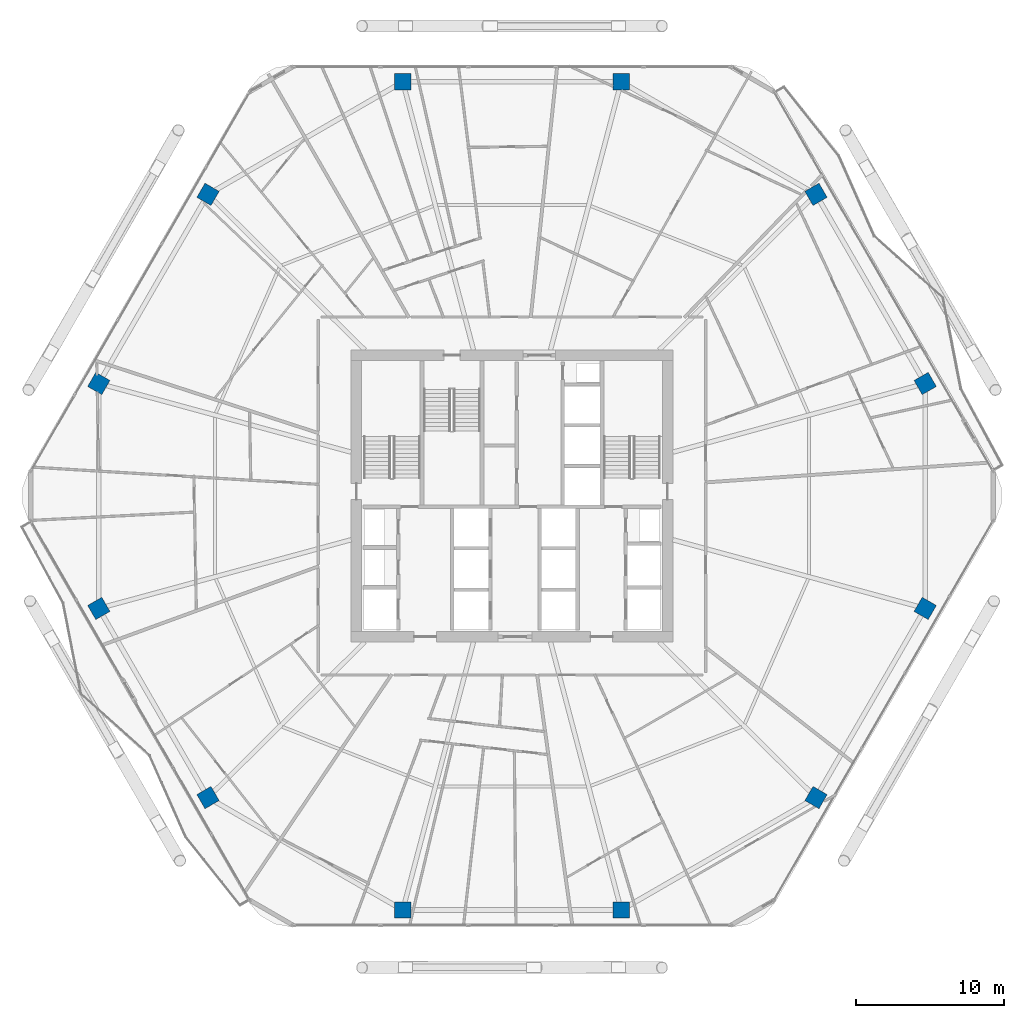
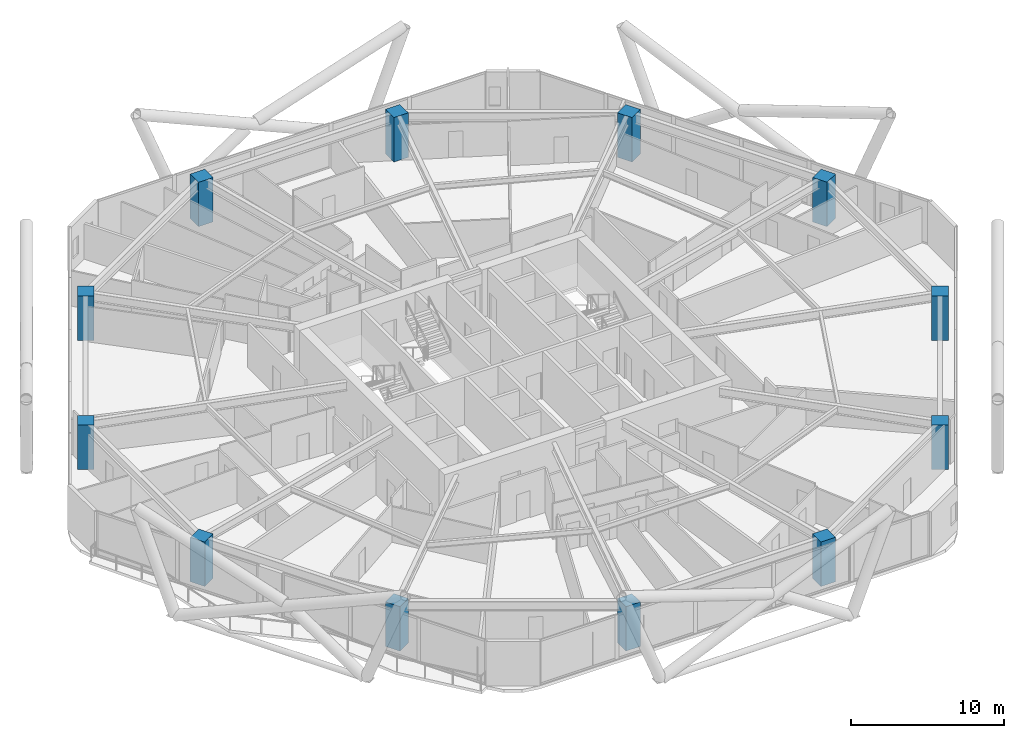
# One storey, part 1 of 34: 12 columns.
"""IFC4 building model written with IfcOpenShell, lengths in metres."""

from ifc_helpers import new_model, si_unit, direction, frame, origin, origin_2d, place, context, subcontext, project, spatial, rectangle, extrude, material, material_profile, profile_set, type_object, element, save


model = new_model("IFC4")

# Units and contexts
model_context = context("Model", 3, precision=1e-05, world=origin(), true_north=direction((0.0, 1.0)))
body_context = subcontext(model_context, "Body", "Model", "MODEL_VIEW")
ifc_project = project(units=[si_unit("LENGTHUNIT", "METRE"), si_unit("AREAUNIT", "SQUARE_METRE"), si_unit("VOLUMEUNIT", "CUBIC_METRE"), si_unit("PLANEANGLEUNIT", "RADIAN"), si_unit("MASSUNIT", "GRAM", prefix="KILO")], contexts=[model_context])

# Site, building, storey
site_placement = place(None, origin())
site = spatial("IfcSite", under=ifc_project, at=site_placement, CompositionType="ELEMENT")
building_placement = place(site_placement, origin())
building = spatial("IfcBuilding", under=site, at=building_placement, Name="Zuhravey Tower", CompositionType="ELEMENT")
storey_placement = place(building_placement, frame((0.0, 0.0, 100.0)))
storey = spatial("IfcBuildingStorey", under=building, at=storey_placement, Name="L24", CompositionType="ELEMENT", Elevation=100.0)

# Columns
ifc_material = material(Name="Concrete C60/75", Category="concrete")
ifc_material_profile = material_profile(ifc_material, rectangle(XDim=1.10009765625, YDim=1.10009765625, at=origin_2d()), Name="RC-1100x1100")
ifc_profile_set = profile_set([ifc_material_profile], Name="Concrete C60/75")
column_type = type_object("IfcColumnType", Name="Zone 1 Upper Column 1100x1100", PredefinedType="COLUMN", material=ifc_profile_set)
for number, where, z_axis, x_axis, name in (
    (1, (63.88916015625, 39.591552734375, 0.0), (0.0, 0.0, 1.0), (-0.5, 0.866025403784, 0.0), "L24 Perimeter Column PC01"),
    (2, (56.51904296875, 52.35693359375, 0.0), (0.0, 0.0, 1.0), (-0.5, 0.866025403784, 0.0), "L24 Perimeter Column PC02"),
    (3, (43.3701171875, 59.948486328125, 0.0), (0.0, 0.0, 1.0), (-1.0, 0.0, 0.0), "L24 Perimeter Column PC03"),
    (4, (28.6298828125, 59.948486328125, 0.0), (0.0, 0.0, 1.0), (-1.0, 0.0, 0.0), "L24 Perimeter Column PC04"),
    (5, (15.48095703125, 52.35693359375, 0.0), (0.0, 0.0, 1.0), (-0.5, -0.866025403784, 0.0), "L24 Perimeter Column PC05"),
    (6, (8.11083984375, 39.591552734375, 0.0), (0.0, 0.0, 1.0), (-0.5, -0.866025403784, 0.0), "L24 Perimeter Column PC06"),
    (7, (8.11083984375, 24.408447265625, 0.0), (0.0, 0.0, 1.0), (0.5, -0.866025403784, 0.0), "L24 Perimeter Column PC07"),
    (8, (15.48095703125, 11.64306640625, 0.0), (0.0, 0.0, 1.0), (0.5, -0.866025403784, 0.0), "L24 Perimeter Column PC08"),
    (9, (28.6298828125, 4.051513671875, 0.0), (0.0, 0.0, 1.0), (1.0, 0.0, 0.0), "L24 Perimeter Column PC09"),
    (10, (43.3701171875, 4.051513671875, 0.0), (0.0, 0.0, 1.0), (1.0, 0.0, 0.0), "L24 Perimeter Column PC10"),
    (11, (56.51904296875, 11.64306640625, 0.0), (0.0, 0.0, 1.0), (0.5, 0.866025403784, 0.0), "L24 Perimeter Column PC11"),
    (12, (63.88916015625, 24.408447265625, 0.0), (0.0, 0.0, 1.0), (0.5, 0.866025403784, 0.0), "L24 Perimeter Column PC12"),
):
    element("IfcColumn", number, at=place(storey_placement, frame(where, z_axis=z_axis, x_axis=x_axis)), inside=storey, type_object=column_type, Name=name, PredefinedType="COLUMN", context=body_context, shape_type="SweptSolid", body=[
        extrude(rectangle(XDim=1.10009765625, YDim=1.10009765625, at=origin_2d()), origin(), (0.0, 0.0, 1.0), 3.550048828125),
    ])

save(model, "model.ifc")
